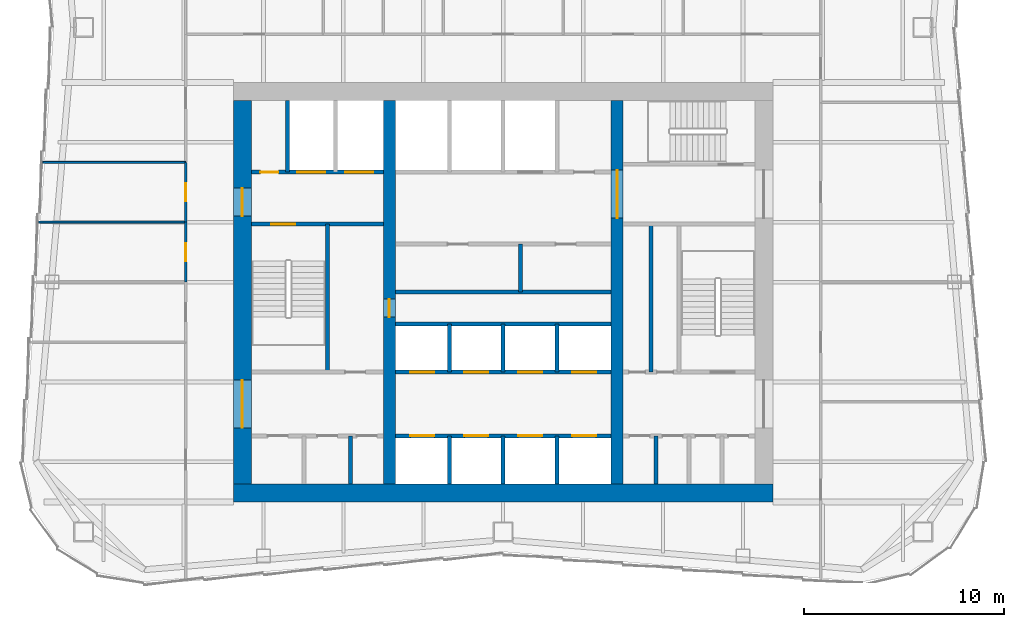
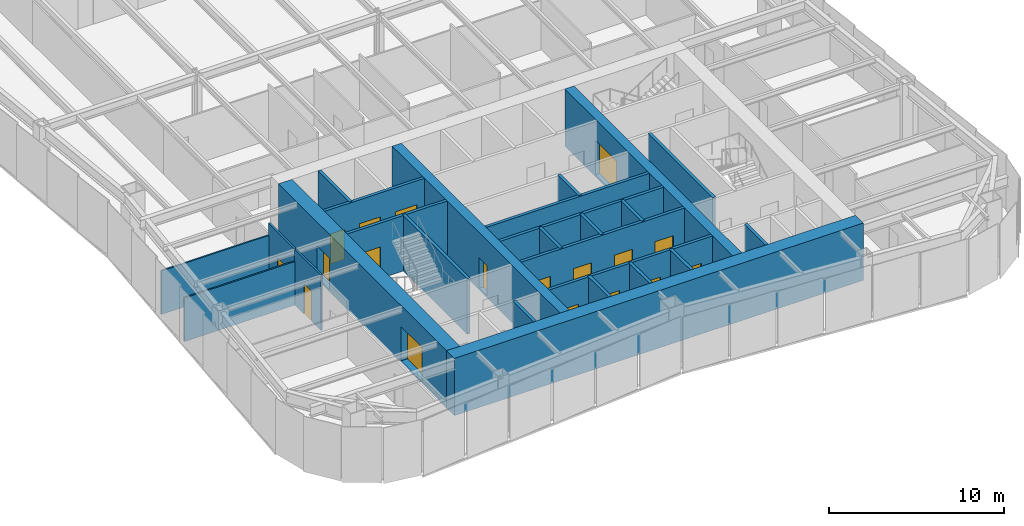
# One storey, part 5 of 10: 26 walls, 18 doors, 18 openings.
"""IFC4 building model written with IfcOpenShell, lengths in metres."""

from ifc_helpers import new_model, si_unit, direction, frame, frame_2d, origin, place, context, subcontext, project, spatial, rectangle, extrude, material, layer, layer_set, type_object, element, fill, save


model = new_model("IFC4")

# Units and contexts
model_context = context("Model", 3, precision=1e-05, world=origin(), true_north=direction((0.0, 1.0)))
body_context = subcontext(model_context, "Body", "Model", "MODEL_VIEW")
ifc_project = project(units=[si_unit("LENGTHUNIT", "METRE"), si_unit("AREAUNIT", "SQUARE_METRE"), si_unit("VOLUMEUNIT", "CUBIC_METRE"), si_unit("PLANEANGLEUNIT", "RADIAN"), si_unit("MASSUNIT", "GRAM", prefix="KILO")], contexts=[model_context])

# Site, building, storey
site_placement = place(None, origin())
site = spatial("IfcSite", under=ifc_project, at=site_placement, CompositionType="ELEMENT")
building_placement = place(site_placement, origin())
building = spatial("IfcBuilding", under=site, at=building_placement, Name="Verdant Reach Tower", CompositionType="ELEMENT")
storey_placement = place(building_placement, frame((0.0, 0.0, 198.0)))
storey = spatial("IfcBuildingStorey", under=building, at=storey_placement, Name="L45", CompositionType="ELEMENT", Elevation=198.0)

# Walls
ifc_material_1 = material(Name="Gypsum board on steel studs", Category="steel")
ifc_layer_1 = layer(ifc_material_1, 0.199951171875)
ifc_layer_set_1 = layer_set([ifc_layer_1], Name="CO-WALL-ROOM")
wall_type_1 = type_object("IfcWallType", Name="CO-WALL-ROOM", PredefinedType="PARTITIONING", material=ifc_layer_set_1)
wall_1_placement = place(storey_placement, frame((-5.39990234375, 28.0, 0.0), z_axis=(0.0, 0.0, 1.0), x_axis=(1.0, 0.0, 0.0)))
element("IfcWall", 1, at=wall_1_placement, inside=storey, type_object=wall_type_1, Name="Core partition, L45", PredefinedType="PARTITIONING", context=body_context, shape_type="SweptSolid", body=[
    extrude(rectangle(XDim=10.7998046875, YDim=0.199951171875, at=frame_2d((5.39990234375, 0.0))), origin(), (0.0, 0.0, 1.0), 3.8701171875),
])
wall_2_placement = place(storey_placement, frame((-7.64990234375, 18.39990234375, 0.0), z_axis=(0.0, 0.0, 1.0), x_axis=(0.0, 1.0, 0.0)))
element("IfcWall", 2, at=wall_2_placement, inside=storey, type_object=wall_type_1, Name="Core partition, L45", PredefinedType="PARTITIONING", context=body_context, shape_type="SweptSolid", body=[
    extrude(rectangle(XDim=2.400146484375, YDim=0.199951171875, at=frame_2d((1.2001953125, 0.0))), origin(), (0.0, 0.0, 1.0), 3.8701171875),
])
wall_3_placement = place(storey_placement, frame((0.864013671875, 28.0, 0.0), z_axis=(0.0, 0.0, 1.0), x_axis=(0.0, 1.0, 0.0)))
element("IfcWall", 3, at=wall_3_placement, inside=storey, type_object=wall_type_1, Name="Core partition, L45", PredefinedType="PARTITIONING", context=body_context, shape_type="SweptSolid", body=[
    extrude(rectangle(XDim=2.39990234375, YDim=0.199951171875, at=frame_2d((1.199951171875, 0.0))), origin(), (0.0, 0.0, 1.0), 3.8701171875),
])
wall_4_placement = place(storey_placement, frame((7.39990234375, 24.0, 0.0), z_axis=(0.0, 0.0, 1.0), x_axis=(0.0, 1.0, 0.0)))
element("IfcWall", 4, at=wall_4_placement, inside=storey, type_object=wall_type_1, Name="Core partition, L45", PredefinedType="PARTITIONING", context=body_context, shape_type="SweptSolid", body=[
    extrude(rectangle(XDim=7.39990234375, YDim=0.199951171875, at=frame_2d((3.699951171875, 0.0))), origin(), (0.0, 0.0, 1.0), 3.8701171875),
])
wall_5_placement = place(storey_placement, frame((7.64990234375, 18.39990234375, 0.0), z_axis=(0.0, 0.0, 1.0), x_axis=(0.0, 1.0, 0.0)))
element("IfcWall", 5, at=wall_5_placement, inside=storey, type_object=wall_type_1, Name="Core partition, L45", PredefinedType="PARTITIONING", context=body_context, shape_type="SweptSolid", body=[
    extrude(rectangle(XDim=2.400146484375, YDim=0.199951171875, at=frame_2d((1.2001953125, 0.0))), origin(), (0.0, 0.0, 1.0), 3.8701171875),
])

# Wall, openings, doors
ifc_material_2 = material(Name="Concrete C40/50", Category="concrete")
ifc_layer_2 = layer(ifc_material_2, 0.199951171875)
ifc_layer_set_2 = layer_set([ifc_layer_2], Name="CO-WALL-SHAFT")
wall_type_2 = type_object("IfcWallType", Name="CO-WALL-SHAFT", PredefinedType="PARTITIONING", material=ifc_layer_set_2)
wall_6_placement = place(storey_placement, frame((-5.39990234375, 20.800048828125, 0.0), z_axis=(0.0, 0.0, 1.0), x_axis=(1.0, 0.0, 0.0)))
wall_6 = element("IfcWall", 6, at=wall_6_placement, inside=storey, type_object=wall_type_2, Name="Lift shaft wall, L45", PredefinedType="PARTITIONING", context=body_context, shape_type="SweptSolid", body=[
    extrude(rectangle(XDim=10.7998046875, YDim=0.199951171875, at=frame_2d((5.39990234375, 0.0))), origin(), (0.0, 0.0, 1.0), 3.8701171875),
])
opening_1_placement = place(wall_6_placement, frame((0.75, 0.0, 0.0)))
opening_1 = element("IfcOpeningElement", 7, at=opening_1_placement, cuts=wall_6, Name="Opening LD-B1", PredefinedType="OPENING", context=body_context, shape_type="SweptSolid", body=[
    extrude(rectangle(XDim=1.199951171875, YDim=2.199951171875, at=frame_2d((0.60009765625, 1.10009765625))), frame((0.0, 0.10986328125, 0.0), z_axis=(0.0, -1.0, 0.0), x_axis=(1.0, 0.0, 0.0)), (0.0, 0.0, 1.0), 0.219970703125),
])
opening_2_placement = place(wall_6_placement, frame((3.449951171875, 0.0, 0.0)))
opening_2 = element("IfcOpeningElement", 8, at=opening_2_placement, cuts=wall_6, Name="Opening LD-B2", PredefinedType="OPENING", context=body_context, shape_type="SweptSolid", body=[
    extrude(rectangle(XDim=1.199951171875, YDim=2.199951171875, at=frame_2d((0.60009765625, 1.10009765625))), frame((0.0, 0.10986328125, 0.0), z_axis=(0.0, -1.0, 0.0), x_axis=(1.0, 0.0, 0.0)), (0.0, 0.0, 1.0), 0.219970703125),
])
opening_3_placement = place(wall_6_placement, frame((6.14990234375, 0.0, 0.0)))
opening_3 = element("IfcOpeningElement", 9, at=opening_3_placement, cuts=wall_6, Name="Opening LD-B3", PredefinedType="OPENING", context=body_context, shape_type="SweptSolid", body=[
    extrude(rectangle(XDim=1.199951171875, YDim=2.199951171875, at=frame_2d((0.60009765625, 1.10009765625))), frame((0.0, 0.10986328125, 0.0), z_axis=(0.0, -1.0, 0.0), x_axis=(1.0, 0.0, 0.0)), (0.0, 0.0, 1.0), 0.219970703125),
])
opening_4_placement = place(wall_6_placement, frame((8.85009765625, 0.0, 0.0)))
opening_4 = element("IfcOpeningElement", 10, at=opening_4_placement, cuts=wall_6, Name="Opening LD-B4", PredefinedType="OPENING", context=body_context, shape_type="SweptSolid", body=[
    extrude(rectangle(XDim=1.199951171875, YDim=2.199951171875, at=frame_2d((0.60009765625, 1.10009765625))), frame((0.0, 0.10986328125, 0.0), z_axis=(0.0, -1.0, 0.0), x_axis=(1.0, 0.0, 0.0)), (0.0, 0.0, 1.0), 0.219970703125),
])
ifc_material_3 = material(Name="Stainless steel", Category="steel")
door_type_1 = type_object("IfcDoorType", Name="CO-DOOR-LANDING", OperationType="SLIDING_TO_LEFT", PredefinedType="DOOR", material=ifc_material_3)
door_1_placement = place(opening_1_placement, origin())
door_1 = element("IfcDoor", 11, at=door_1_placement, inside=storey, type_object=door_type_1, Name="Landing door B1, L45", OperationType="SLIDING_TO_LEFT", OverallHeight=2.199951171875, OverallWidth=1.199951171875, PredefinedType="DOOR", context=body_context, shape_type="SweptSolid", body=[
    extrude(rectangle(XDim=1.199951171875, YDim=2.199951171875, at=frame_2d((0.60009765625, 1.10009765625))), frame((0.0, 0.02490234375, 0.0), z_axis=(0.0, -1.0, 0.0), x_axis=(1.0, 0.0, 0.0)), (0.0, 0.0, 1.0), 0.050048828125),
])
fill(opening_1, door_1)
door_2_placement = place(opening_2_placement, origin())
door_2 = element("IfcDoor", 12, at=door_2_placement, inside=storey, type_object=door_type_1, Name="Landing door B2, L45", OperationType="SLIDING_TO_LEFT", OverallHeight=2.199951171875, OverallWidth=1.199951171875, PredefinedType="DOOR", context=body_context, shape_type="SweptSolid", body=[
    extrude(rectangle(XDim=1.199951171875, YDim=2.199951171875, at=frame_2d((0.60009765625, 1.10009765625))), frame((0.0, 0.02490234375, 0.0), z_axis=(0.0, -1.0, 0.0), x_axis=(1.0, 0.0, 0.0)), (0.0, 0.0, 1.0), 0.050048828125),
])
fill(opening_2, door_2)
door_3_placement = place(opening_3_placement, origin())
door_3 = element("IfcDoor", 13, at=door_3_placement, inside=storey, type_object=door_type_1, Name="Landing door B3, L45", OperationType="SLIDING_TO_LEFT", OverallHeight=2.199951171875, OverallWidth=1.199951171875, PredefinedType="DOOR", context=body_context, shape_type="SweptSolid", body=[
    extrude(rectangle(XDim=1.199951171875, YDim=2.199951171875, at=frame_2d((0.60009765625, 1.10009765625))), frame((0.0, 0.02490234375, 0.0), z_axis=(0.0, -1.0, 0.0), x_axis=(1.0, 0.0, 0.0)), (0.0, 0.0, 1.0), 0.050048828125),
])
fill(opening_3, door_3)
door_4_placement = place(opening_4_placement, origin())
door_4 = element("IfcDoor", 14, at=door_4_placement, inside=storey, type_object=door_type_1, Name="Landing door B4, L45", OperationType="SLIDING_TO_LEFT", OverallHeight=2.199951171875, OverallWidth=1.199951171875, PredefinedType="DOOR", context=body_context, shape_type="SweptSolid", body=[
    extrude(rectangle(XDim=1.199951171875, YDim=2.199951171875, at=frame_2d((0.60009765625, 1.10009765625))), frame((0.0, 0.02490234375, 0.0), z_axis=(0.0, -1.0, 0.0), x_axis=(1.0, 0.0, 0.0)), (0.0, 0.0, 1.0), 0.050048828125),
])
fill(opening_4, door_4)

wall_7_placement = place(storey_placement, frame((-5.39990234375, 24.0, 0.0), z_axis=(0.0, 0.0, 1.0), x_axis=(1.0, 0.0, 0.0)))
wall_7 = element("IfcWall", 15, at=wall_7_placement, inside=storey, type_object=wall_type_2, Name="Lift shaft wall, L45", PredefinedType="PARTITIONING", context=body_context, shape_type="SweptSolid", body=[
    extrude(rectangle(XDim=10.7998046875, YDim=0.199951171875, at=frame_2d((5.39990234375, 0.0))), origin(), (0.0, 0.0, 1.0), 3.8701171875),
])
opening_5_placement = place(wall_7_placement, frame((0.75, 0.0, 0.0)))
opening_5 = element("IfcOpeningElement", 16, at=opening_5_placement, cuts=wall_7, Name="Opening LD-A5", PredefinedType="OPENING", context=body_context, shape_type="SweptSolid", body=[
    extrude(rectangle(XDim=1.199951171875, YDim=2.199951171875, at=frame_2d((0.60009765625, 1.10009765625))), frame((0.0, 0.10986328125, 0.0), z_axis=(0.0, -1.0, 0.0), x_axis=(1.0, 0.0, 0.0)), (0.0, 0.0, 1.0), 0.219970703125),
])
opening_6_placement = place(wall_7_placement, frame((3.449951171875, 0.0, 0.0)))
opening_6 = element("IfcOpeningElement", 17, at=opening_6_placement, cuts=wall_7, Name="Opening LD-A6", PredefinedType="OPENING", context=body_context, shape_type="SweptSolid", body=[
    extrude(rectangle(XDim=1.199951171875, YDim=2.199951171875, at=frame_2d((0.60009765625, 1.10009765625))), frame((0.0, 0.10986328125, 0.0), z_axis=(0.0, -1.0, 0.0), x_axis=(1.0, 0.0, 0.0)), (0.0, 0.0, 1.0), 0.219970703125),
])
opening_7_placement = place(wall_7_placement, frame((6.14990234375, 0.0, 0.0)))
opening_7 = element("IfcOpeningElement", 18, at=opening_7_placement, cuts=wall_7, Name="Opening LD-A7", PredefinedType="OPENING", context=body_context, shape_type="SweptSolid", body=[
    extrude(rectangle(XDim=1.199951171875, YDim=2.199951171875, at=frame_2d((0.60009765625, 1.10009765625))), frame((0.0, 0.10986328125, 0.0), z_axis=(0.0, -1.0, 0.0), x_axis=(1.0, 0.0, 0.0)), (0.0, 0.0, 1.0), 0.219970703125),
])
opening_8_placement = place(wall_7_placement, frame((8.85009765625, 0.0, 0.0)))
opening_8 = element("IfcOpeningElement", 19, at=opening_8_placement, cuts=wall_7, Name="Opening LD-A8", PredefinedType="OPENING", context=body_context, shape_type="SweptSolid", body=[
    extrude(rectangle(XDim=1.199951171875, YDim=2.199951171875, at=frame_2d((0.60009765625, 1.10009765625))), frame((0.0, 0.10986328125, 0.0), z_axis=(0.0, -1.0, 0.0), x_axis=(1.0, 0.0, 0.0)), (0.0, 0.0, 1.0), 0.219970703125),
])
door_5_placement = place(opening_5_placement, origin())
door_5 = element("IfcDoor", 20, at=door_5_placement, inside=storey, type_object=door_type_1, Name="Landing door A5, L45", OperationType="SLIDING_TO_LEFT", OverallHeight=2.199951171875, OverallWidth=1.199951171875, PredefinedType="DOOR", context=body_context, shape_type="SweptSolid", body=[
    extrude(rectangle(XDim=1.199951171875, YDim=2.199951171875, at=frame_2d((0.60009765625, 1.10009765625))), frame((0.0, 0.02490234375, 0.0), z_axis=(0.0, -1.0, 0.0), x_axis=(1.0, 0.0, 0.0)), (0.0, 0.0, 1.0), 0.050048828125),
])
fill(opening_5, door_5)
door_6_placement = place(opening_6_placement, origin())
door_6 = element("IfcDoor", 21, at=door_6_placement, inside=storey, type_object=door_type_1, Name="Landing door A6, L45", OperationType="SLIDING_TO_LEFT", OverallHeight=2.199951171875, OverallWidth=1.199951171875, PredefinedType="DOOR", context=body_context, shape_type="SweptSolid", body=[
    extrude(rectangle(XDim=1.199951171875, YDim=2.199951171875, at=frame_2d((0.60009765625, 1.10009765625))), frame((0.0, 0.02490234375, 0.0), z_axis=(0.0, -1.0, 0.0), x_axis=(1.0, 0.0, 0.0)), (0.0, 0.0, 1.0), 0.050048828125),
])
fill(opening_6, door_6)
door_7_placement = place(opening_7_placement, origin())
door_7 = element("IfcDoor", 22, at=door_7_placement, inside=storey, type_object=door_type_1, Name="Landing door A7, L45", OperationType="SLIDING_TO_LEFT", OverallHeight=2.199951171875, OverallWidth=1.199951171875, PredefinedType="DOOR", context=body_context, shape_type="SweptSolid", body=[
    extrude(rectangle(XDim=1.199951171875, YDim=2.199951171875, at=frame_2d((0.60009765625, 1.10009765625))), frame((0.0, 0.02490234375, 0.0), z_axis=(0.0, -1.0, 0.0), x_axis=(1.0, 0.0, 0.0)), (0.0, 0.0, 1.0), 0.050048828125),
])
fill(opening_7, door_7)
door_8_placement = place(opening_8_placement, origin())
door_8 = element("IfcDoor", 23, at=door_8_placement, inside=storey, type_object=door_type_1, Name="Landing door A8, L45", OperationType="SLIDING_TO_LEFT", OverallHeight=2.199951171875, OverallWidth=1.199951171875, PredefinedType="DOOR", context=body_context, shape_type="SweptSolid", body=[
    extrude(rectangle(XDim=1.199951171875, YDim=2.199951171875, at=frame_2d((0.60009765625, 1.10009765625))), frame((0.0, 0.02490234375, 0.0), z_axis=(0.0, -1.0, 0.0), x_axis=(1.0, 0.0, 0.0)), (0.0, 0.0, 1.0), 0.050048828125),
])
fill(opening_8, door_8)

# Wall
wall_8_placement = place(storey_placement, frame((-5.39990234375, 26.39990234375, 0.0), z_axis=(0.0, 0.0, 1.0), x_axis=(1.0, 0.0, 0.0)))
element("IfcWall", 24, at=wall_8_placement, inside=storey, type_object=wall_type_2, Name="Lift shaft wall, L45", PredefinedType="PARTITIONING", context=body_context, shape_type="SweptSolid", body=[
    extrude(rectangle(XDim=10.7998046875, YDim=0.199951171875, at=frame_2d((5.39990234375, 0.0))), origin(), (0.0, 0.0, 1.0), 3.8701171875),
])

# Wall, openings, doors
wall_9_placement = place(storey_placement, frame((-12.60009765625, 34.0, 0.0), z_axis=(0.0, 0.0, 1.0), x_axis=(1.0, 0.0, 0.0)))
wall_9 = element("IfcWall", 25, at=wall_9_placement, inside=storey, type_object=wall_type_2, Name="Lift shaft wall, L45", PredefinedType="PARTITIONING", context=body_context, shape_type="SweptSolid", body=[
    extrude(rectangle(XDim=6.60009765625, YDim=0.199951171875, at=frame_2d((3.300048828125, 0.0))), origin(), (0.0, 0.0, 1.0), 3.8701171875),
])
opening_9_placement = place(wall_9_placement, frame((4.699951171875, 0.0, 0.0)))
opening_9 = element("IfcOpeningElement", 26, at=opening_9_placement, cuts=wall_9, Name="Opening LD-F1", PredefinedType="OPENING", context=body_context, shape_type="SweptSolid", body=[
    extrude(rectangle(XDim=1.39990234375, YDim=2.199951171875, at=frame_2d((0.699951171875, 1.10009765625))), frame((0.0, 0.10986328125, 0.0), z_axis=(0.0, -1.0, 0.0), x_axis=(1.0, 0.0, 0.0)), (0.0, 0.0, 1.0), 0.219970703125),
])
opening_10_placement = place(wall_9_placement, frame((2.300048828125, 0.0, 0.0)))
opening_10 = element("IfcOpeningElement", 27, at=opening_10_placement, cuts=wall_9, Name="Opening LD-F2", PredefinedType="OPENING", context=body_context, shape_type="SweptSolid", body=[
    extrude(rectangle(XDim=1.39990234375, YDim=2.199951171875, at=frame_2d((0.699951171875, 1.10009765625))), frame((0.0, 0.10986328125, 0.0), z_axis=(0.0, -1.0, 0.0), x_axis=(1.0, 0.0, 0.0)), (0.0, 0.0, 1.0), 0.219970703125),
])
opening_11_placement = place(wall_9_placement, frame((0.449951171875, 0.0, 0.0)))
opening_11 = element("IfcOpeningElement", 28, at=opening_11_placement, cuts=wall_9, Name="Opening RD", PredefinedType="OPENING", context=body_context, shape_type="SweptSolid", body=[
    extrude(rectangle(XDim=0.89990234375, YDim=2.10009765625, at=frame_2d((0.449951171875, 1.050048828125))), frame((0.0, 0.10986328125, 0.0), z_axis=(0.0, -1.0, 0.0), x_axis=(1.0, 0.0, 0.0)), (0.0, 0.0, 1.0), 0.219970703125),
])
door_type_2 = type_object("IfcDoorType", Name="CO-DOOR-LANDING-FF", OperationType="SLIDING_TO_LEFT", PredefinedType="DOOR", material=ifc_material_3)
door_9_placement = place(opening_9_placement, origin())
door_9 = element("IfcDoor", 29, at=door_9_placement, inside=storey, type_object=door_type_2, Name="Landing door F1, L45", OperationType="SLIDING_TO_LEFT", OverallHeight=2.199951171875, OverallWidth=1.39990234375, PredefinedType="DOOR", context=body_context, shape_type="SweptSolid", body=[
    extrude(rectangle(XDim=1.39990234375, YDim=2.199951171875, at=frame_2d((0.699951171875, 1.10009765625))), frame((0.0, 0.02490234375, 0.0), z_axis=(0.0, -1.0, 0.0), x_axis=(1.0, 0.0, 0.0)), (0.0, 0.0, 1.0), 0.050048828125),
])
fill(opening_9, door_9)
door_10_placement = place(opening_10_placement, origin())
door_10 = element("IfcDoor", 30, at=door_10_placement, inside=storey, type_object=door_type_2, Name="Landing door F2, L45", OperationType="SLIDING_TO_LEFT", OverallHeight=2.199951171875, OverallWidth=1.39990234375, PredefinedType="DOOR", context=body_context, shape_type="SweptSolid", body=[
    extrude(rectangle(XDim=1.39990234375, YDim=2.199951171875, at=frame_2d((0.699951171875, 1.10009765625))), frame((0.0, 0.02490234375, 0.0), z_axis=(0.0, -1.0, 0.0), x_axis=(1.0, 0.0, 0.0)), (0.0, 0.0, 1.0), 0.050048828125),
])
fill(opening_10, door_10)
ifc_material_4 = material(Name="Steel", Category="steel")
door_type_3 = type_object("IfcDoorType", Name="CO-DOOR-RISER", OperationType="NOTDEFINED", PredefinedType="DOOR", material=ifc_material_4)
door_11_placement = place(opening_11_placement, origin())
door_11 = element("IfcDoor", 31, at=door_11_placement, inside=storey, type_object=door_type_3, Name="Core room door, L45", OperationType="SINGLE_SWING_RIGHT", OverallHeight=2.10009765625, OverallWidth=0.89990234375, PredefinedType="DOOR", context=body_context, shape_type="SweptSolid", body=[
    extrude(rectangle(XDim=0.89990234375, YDim=2.10009765625, at=frame_2d((0.449951171875, 1.050048828125))), frame((0.0, 0.02490234375, 0.0), z_axis=(0.0, -1.0, 0.0), x_axis=(1.0, 0.0, 0.0)), (0.0, 0.0, 1.0), 0.050048828125),
])
fill(opening_11, door_11)

# Walls
wall_10_placement = place(storey_placement, frame((-10.800048828125, 34.0, 0.0), z_axis=(0.0, 0.0, 1.0), x_axis=(0.0, 1.0, 0.0)))
element("IfcWall", 32, at=wall_10_placement, inside=storey, type_object=wall_type_2, Name="Lift shaft wall, L45", PredefinedType="PARTITIONING", context=body_context, shape_type="SweptSolid", body=[
    extrude(rectangle(XDim=3.60009765625, YDim=0.199951171875, at=frame_2d((1.800048828125, 0.0))), origin(), (0.0, 0.0, 1.0), 3.8701171875),
])
wall_11_placement = place(storey_placement, frame((-2.699951171875, 18.39990234375, 0.0), z_axis=(0.0, 0.0, 1.0), x_axis=(0.0, 1.0, 0.0)))
element("IfcWall", 33, at=wall_11_placement, inside=storey, type_object=wall_type_2, Name="Lift shaft wall, L45", PredefinedType="PARTITIONING", context=body_context, shape_type="SweptSolid", body=[
    extrude(rectangle(XDim=2.400146484375, YDim=0.199951171875, at=frame_2d((1.2001953125, 0.0))), origin(), (0.0, 0.0, 1.0), 3.8701171875),
])
wall_12_placement = place(storey_placement, frame((-2.699951171875, 24.0, 0.0), z_axis=(0.0, 0.0, 1.0), x_axis=(0.0, 1.0, 0.0)))
element("IfcWall", 34, at=wall_12_placement, inside=storey, type_object=wall_type_2, Name="Lift shaft wall, L45", PredefinedType="PARTITIONING", context=body_context, shape_type="SweptSolid", body=[
    extrude(rectangle(XDim=2.39990234375, YDim=0.199951171875, at=frame_2d((1.199951171875, 0.0))), origin(), (0.0, 0.0, 1.0), 3.8701171875),
])
wall_13_placement = place(storey_placement, frame((0.0, 18.39990234375, 0.0), z_axis=(0.0, 0.0, 1.0), x_axis=(0.0, 1.0, 0.0)))
element("IfcWall", 35, at=wall_13_placement, inside=storey, type_object=wall_type_2, Name="Lift shaft wall, L45", PredefinedType="PARTITIONING", context=body_context, shape_type="SweptSolid", body=[
    extrude(rectangle(XDim=2.400146484375, YDim=0.199951171875, at=frame_2d((1.2001953125, 0.0))), origin(), (0.0, 0.0, 1.0), 3.8701171875),
])
wall_14_placement = place(storey_placement, frame((0.0, 24.0, 0.0), z_axis=(0.0, 0.0, 1.0), x_axis=(0.0, 1.0, 0.0)))
element("IfcWall", 36, at=wall_14_placement, inside=storey, type_object=wall_type_2, Name="Lift shaft wall, L45", PredefinedType="PARTITIONING", context=body_context, shape_type="SweptSolid", body=[
    extrude(rectangle(XDim=2.39990234375, YDim=0.199951171875, at=frame_2d((1.199951171875, 0.0))), origin(), (0.0, 0.0, 1.0), 3.8701171875),
])
wall_15_placement = place(storey_placement, frame((2.699951171875, 18.39990234375, 0.0), z_axis=(0.0, 0.0, 1.0), x_axis=(0.0, 1.0, 0.0)))
element("IfcWall", 37, at=wall_15_placement, inside=storey, type_object=wall_type_2, Name="Lift shaft wall, L45", PredefinedType="PARTITIONING", context=body_context, shape_type="SweptSolid", body=[
    extrude(rectangle(XDim=2.400146484375, YDim=0.199951171875, at=frame_2d((1.2001953125, 0.0))), origin(), (0.0, 0.0, 1.0), 3.8701171875),
])
wall_16_placement = place(storey_placement, frame((2.699951171875, 24.0, 0.0), z_axis=(0.0, 0.0, 1.0), x_axis=(0.0, 1.0, 0.0)))
element("IfcWall", 38, at=wall_16_placement, inside=storey, type_object=wall_type_2, Name="Lift shaft wall, L45", PredefinedType="PARTITIONING", context=body_context, shape_type="SweptSolid", body=[
    extrude(rectangle(XDim=2.39990234375, YDim=0.199951171875, at=frame_2d((1.199951171875, 0.0))), origin(), (0.0, 0.0, 1.0), 3.8701171875),
])

# Wall, opening, door
ifc_layer_3 = layer(ifc_material_2, 0.199951171875)
ifc_layer_set_3 = layer_set([ifc_layer_3], Name="CO-WALL-STAIR")
wall_type_3 = type_object("IfcWallType", Name="CO-WALL-STAIR", PredefinedType="PARTITIONING", material=ifc_layer_set_3)
wall_17_placement = place(storey_placement, frame((-12.60009765625, 31.39990234375, 0.0), z_axis=(0.0, 0.0, 1.0), x_axis=(1.0, 0.0, 0.0)))
wall_17 = element("IfcWall", 39, at=wall_17_placement, inside=storey, type_object=wall_type_3, Name="Stair enclosure wall, L45", PredefinedType="PARTITIONING", context=body_context, shape_type="SweptSolid", body=[
    extrude(rectangle(XDim=6.60009765625, YDim=0.199951171875, at=frame_2d((3.300048828125, 0.0))), origin(), (0.0, 0.0, 1.0), 3.8701171875),
])
opening_12_placement = place(wall_17_placement, frame((1.0, 0.0, 0.0)))
opening_12 = element("IfcOpeningElement", 40, at=opening_12_placement, cuts=wall_17, Name="Opening SD", PredefinedType="OPENING", context=body_context, shape_type="SweptSolid", body=[
    extrude(rectangle(XDim=1.199951171875, YDim=2.199951171875, at=frame_2d((0.60009765625, 1.10009765625))), frame((0.0, 0.10986328125, 0.0), z_axis=(0.0, -1.0, 0.0), x_axis=(1.0, 0.0, 0.0)), (0.0, 0.0, 1.0), 0.219970703125),
])
door_type_4 = type_object("IfcDoorType", Name="CO-DOOR-STAIR", OperationType="NOTDEFINED", PredefinedType="DOOR", material=ifc_material_4)
door_12_placement = place(opening_12_placement, origin())
door_12 = element("IfcDoor", 41, at=door_12_placement, inside=storey, type_object=door_type_4, Name="Stair door, L45", OperationType="SINGLE_SWING_RIGHT", OverallHeight=2.199951171875, OverallWidth=1.199951171875, PredefinedType="DOOR", context=body_context, shape_type="SweptSolid", body=[
    extrude(rectangle(XDim=1.199951171875, YDim=2.199951171875, at=frame_2d((0.60009765625, 1.10009765625))), frame((0.0, 0.02490234375, 0.0), z_axis=(0.0, -1.0, 0.0), x_axis=(1.0, 0.0, 0.0)), (0.0, 0.0, 1.0), 0.050048828125),
])
fill(opening_12, door_12)

# Walls
wall_18_placement = place(storey_placement, frame((-8.800048828125, 24.0, 0.0), z_axis=(0.0, 0.0, 1.0), x_axis=(0.0, 1.0, 0.0)))
element("IfcWall", 42, at=wall_18_placement, inside=storey, type_object=wall_type_3, Name="Stair enclosure wall, L45", PredefinedType="PARTITIONING", context=body_context, shape_type="SweptSolid", body=[
    extrude(rectangle(XDim=7.39990234375, YDim=0.199951171875, at=frame_2d((3.699951171875, 0.0))), origin(), (0.0, 0.0, 1.0), 3.8701171875),
])
ifc_layer_4 = layer(ifc_material_1, 0.10009765625)
ifc_layer_set_4 = layer_set([ifc_layer_4], Name="FL-W1 Partition 100")
wall_type_4 = type_object("IfcWallType", Name="FL-W1 Partition 100", PredefinedType="PARTITIONING", material=ifc_layer_set_4)
wall_19_placement = place(storey_placement, frame((-15.89990234375, 31.5, 0.0), z_axis=(0.0, 0.0, 1.0), x_axis=(-1.0, 0.0, 0.0)))
element("IfcWall", 43, at=wall_19_placement, inside=storey, type_object=wall_type_4, Name="Partition 45.42", PredefinedType="PARTITIONING", context=body_context, shape_type="SweptSolid", body=[
    extrude(rectangle(XDim=7.3525390625, YDim=0.10009765625, at=frame_2d((3.67626953125, 0.0))), origin(), (0.0, 0.0, 1.0), 3.0400390625),
])
wall_20_placement = place(storey_placement, frame((-15.89990234375, 34.5, 0.0), z_axis=(0.0, 0.0, 1.0), x_axis=(-1.0, 0.0, 0.0)))
element("IfcWall", 44, at=wall_20_placement, inside=storey, type_object=wall_type_4, Name="Partition 45.43", PredefinedType="PARTITIONING", context=body_context, shape_type="SweptSolid", body=[
    extrude(rectangle(XDim=7.1455078125, YDim=0.10009765625, at=frame_2d((3.57275390625, 0.0))), origin(), (0.0, 0.0, 1.0), 3.0400390625),
])

# Wall, opening, door
ifc_material_5 = material(Name="Gypsum board on steel studs, fire rated", Category="steel")
ifc_layer_5 = layer(ifc_material_5, 0.125)
ifc_layer_set_5 = layer_set([ifc_layer_5], Name="FL-W2 Corridor wall 125")
wall_type_5 = type_object("IfcWallType", Name="FL-W2 Corridor wall 125", PredefinedType="PARTITIONING", material=ifc_layer_set_5)
wall_21_placement = place(storey_placement, frame((-15.89990234375, 28.5, 0.0), z_axis=(0.0, 0.0, 1.0), x_axis=(0.0, 1.0, 0.0)))
wall_21 = element("IfcWall", 45, at=wall_21_placement, inside=storey, type_object=wall_type_5, Name="Partition 45.09", PredefinedType="PARTITIONING", context=body_context, shape_type="SweptSolid", body=[
    extrude(rectangle(XDim=3.0, YDim=0.125, at=frame_2d((1.5, 0.0))), origin(), (0.0, 0.0, 1.0), 3.8701171875),
])
opening_13_placement = place(wall_21_placement, frame((1.050048828125, 0.0, 0.0)))
opening_13 = element("IfcOpeningElement", 46, at=opening_13_placement, cuts=wall_21, Name="Opening D1", PredefinedType="OPENING", context=body_context, shape_type="SweptSolid", body=[
    extrude(rectangle(XDim=0.89990234375, YDim=2.10009765625, at=frame_2d((0.449951171875, 1.050048828125))), frame((0.0, 0.072509765625, 0.0), z_axis=(0.0, -1.0, 0.0), x_axis=(1.0, 0.0, 0.0)), (0.0, 0.0, 1.0), 0.14501953125),
])
ifc_material_6 = material(Name="Painted timber door leaf", Category="wood")
door_type_5 = type_object("IfcDoorType", Name="FL-D1 Door 900x2100", OperationType="NOTDEFINED", PredefinedType="DOOR", material=ifc_material_6)
door_13_placement = place(opening_13_placement, origin())
door_13 = element("IfcDoor", 47, at=door_13_placement, inside=storey, type_object=door_type_5, Name="Door 45-007", OperationType="SINGLE_SWING_LEFT", OverallHeight=2.10009765625, OverallWidth=0.89990234375, PredefinedType="DOOR", context=body_context, shape_type="SweptSolid", body=[
    extrude(rectangle(XDim=0.89990234375, YDim=2.10009765625, at=frame_2d((0.449951171875, 1.050048828125))), frame((0.0, 0.02490234375, 0.0), z_axis=(0.0, -1.0, 0.0), x_axis=(1.0, 0.0, 0.0)), (0.0, 0.0, 1.0), 0.050048828125),
])
fill(opening_13, door_13)

wall_22_placement = place(storey_placement, frame((-15.89990234375, 31.5, 0.0), z_axis=(0.0, 0.0, 1.0), x_axis=(0.0, 1.0, 0.0)))
wall_22 = element("IfcWall", 48, at=wall_22_placement, inside=storey, type_object=wall_type_5, Name="Partition 45.10", PredefinedType="PARTITIONING", context=body_context, shape_type="SweptSolid", body=[
    extrude(rectangle(XDim=3.0, YDim=0.125, at=frame_2d((1.5, 0.0))), origin(), (0.0, 0.0, 1.0), 3.8701171875),
])
opening_14_placement = place(wall_22_placement, frame((1.050048828125, 0.0, 0.0)))
opening_14 = element("IfcOpeningElement", 49, at=opening_14_placement, cuts=wall_22, Name="Opening D1", PredefinedType="OPENING", context=body_context, shape_type="SweptSolid", body=[
    extrude(rectangle(XDim=0.89990234375, YDim=2.10009765625, at=frame_2d((0.449951171875, 1.050048828125))), frame((0.0, 0.072509765625, 0.0), z_axis=(0.0, -1.0, 0.0), x_axis=(1.0, 0.0, 0.0)), (0.0, 0.0, 1.0), 0.14501953125),
])
door_14_placement = place(opening_14_placement, origin())
door_14 = element("IfcDoor", 50, at=door_14_placement, inside=storey, type_object=door_type_5, Name="Door 45-008", OperationType="SINGLE_SWING_RIGHT", OverallHeight=2.10009765625, OverallWidth=0.89990234375, PredefinedType="DOOR", context=body_context, shape_type="SweptSolid", body=[
    extrude(rectangle(XDim=0.89990234375, YDim=2.10009765625, at=frame_2d((0.449951171875, 1.050048828125))), frame((0.0, 0.02490234375, 0.0), z_axis=(0.0, -1.0, 0.0), x_axis=(1.0, 0.0, 0.0)), (0.0, 0.0, 1.0), 0.050048828125),
])
fill(opening_14, door_14)

ifc_material_7 = material(Name="Concrete C70/85", Category="concrete")
ifc_layer_6 = layer(ifc_material_7, 0.60009765625)
ifc_layer_set_6 = layer_set([ifc_layer_6], Name="ST-CORE-WALL-600")
wall_type_6 = type_object("IfcWallType", Name="ST-CORE-WALL-600", PredefinedType="SHEAR", material=ifc_layer_set_6)
wall_23_placement = place(storey_placement, frame((-5.699951171875, 18.39990234375, -0.1298828125), z_axis=(0.0, 0.0, 1.0), x_axis=(0.0, 1.0, 0.0)))
wall_23 = element("IfcWall", 51, at=wall_23_placement, inside=storey, type_object=wall_type_6, Name="Core wall XW, L45", PredefinedType="SHEAR", context=body_context, shape_type="SweptSolid", body=[
    extrude(rectangle(XDim=19.2001953125, YDim=0.60009765625, at=frame_2d((9.60009765625, 0.0))), origin(), (0.0, 0.0, 1.0), 4.0),
])
opening_15_placement = place(wall_23_placement, frame((8.35009765625, 0.0, 0.1298828125)))
opening_15 = element("IfcOpeningElement", 52, at=opening_15_placement, cuts=wall_23, Name="Opening RD", PredefinedType="OPENING", context=body_context, shape_type="SweptSolid", body=[
    extrude(rectangle(XDim=0.89990234375, YDim=2.10009765625, at=frame_2d((0.449951171875, 1.050048828125))), frame((0.0, 0.31005859375, 0.0), z_axis=(0.0, -1.0, 0.0), x_axis=(1.0, 0.0, 0.0)), (0.0, 0.0, 1.0), 0.6201171875),
])
door_15_placement = place(opening_15_placement, origin())
door_15 = element("IfcDoor", 53, at=door_15_placement, inside=storey, type_object=door_type_3, Name="Riser door, L45", OperationType="SINGLE_SWING_RIGHT", OverallHeight=2.10009765625, OverallWidth=0.89990234375, PredefinedType="DOOR", context=body_context, shape_type="SweptSolid", body=[
    extrude(rectangle(XDim=0.89990234375, YDim=2.10009765625, at=frame_2d((0.449951171875, 1.050048828125))), frame((0.0, 0.02490234375, 0.0), z_axis=(0.0, -1.0, 0.0), x_axis=(1.0, 0.0, 0.0)), (0.0, 0.0, 1.0), 0.050048828125),
])
fill(opening_15, door_15)

wall_24_placement = place(storey_placement, frame((5.699951171875, 18.39990234375, -0.1298828125), z_axis=(0.0, 0.0, 1.0), x_axis=(0.0, 1.0, 0.0)))
wall_24 = element("IfcWall", 54, at=wall_24_placement, inside=storey, type_object=wall_type_6, Name="Core wall XE, L45", PredefinedType="SHEAR", context=body_context, shape_type="SweptSolid", body=[
    extrude(rectangle(XDim=19.2001953125, YDim=0.60009765625, at=frame_2d((9.60009765625, 0.0))), origin(), (0.0, 0.0, 1.0), 4.0),
])
opening_16_placement = place(wall_24_placement, frame((13.300048828125, 0.0, 0.1298828125)))
opening_16 = element("IfcOpeningElement", 55, at=opening_16_placement, cuts=wall_24, Name="Opening LB", PredefinedType="OPENING", context=body_context, shape_type="SweptSolid", body=[
    extrude(rectangle(XDim=2.39990234375, YDim=2.39990234375, at=frame_2d((1.199951171875, 1.199951171875))), frame((0.0, 0.31005859375, 0.0), z_axis=(0.0, -1.0, 0.0), x_axis=(1.0, 0.0, 0.0)), (0.0, 0.0, 1.0), 0.6201171875),
])
ifc_material_8 = material(Name="Glass and steel", Category="steel")
door_type_6 = type_object("IfcDoorType", Name="CO-DOOR-LOBBY", OperationType="DOUBLE_DOOR_SINGLE_SWING", PredefinedType="DOOR", material=ifc_material_8)
door_16_placement = place(opening_16_placement, origin())
door_16 = element("IfcDoor", 56, at=door_16_placement, inside=storey, type_object=door_type_6, Name="Core entrance door, L45", OperationType="DOUBLE_DOOR_SINGLE_SWING", OverallHeight=2.39990234375, OverallWidth=2.39990234375, PredefinedType="DOOR", context=body_context, shape_type="SweptSolid", body=[
    extrude(rectangle(XDim=2.39990234375, YDim=2.39990234375, at=frame_2d((1.199951171875, 1.199951171875))), frame((0.0, 0.02490234375, 0.0), z_axis=(0.0, -1.0, 0.0), x_axis=(1.0, 0.0, 0.0)), (0.0, 0.0, 1.0), 0.050048828125),
])
fill(opening_16, door_16)

# Wall
ifc_layer_7 = layer(ifc_material_7, 0.89990234375)
ifc_layer_set_7 = layer_set([ifc_layer_7], Name="ST-CORE-WALL-900")
wall_type_7 = type_object("IfcWallType", Name="ST-CORE-WALL-900", PredefinedType="SHEAR", material=ifc_layer_set_7)
wall_25_placement = place(storey_placement, frame((-13.5, 17.949951171875, -0.1298828125), z_axis=(0.0, 0.0, 1.0), x_axis=(1.0, 0.0, 0.0)))
element("IfcWall", 57, at=wall_25_placement, inside=storey, type_object=wall_type_7, Name="Core wall S, L45", PredefinedType="SHEAR", context=body_context, shape_type="SweptSolid", body=[
    extrude(rectangle(XDim=27.0, YDim=0.89990234375, at=frame_2d((13.5, 0.0))), origin(), (0.0, 0.0, 1.0), 4.0),
])

# Wall, openings, doors
wall_26_placement = place(storey_placement, frame((-13.050048828125, 18.39990234375, -0.1298828125), z_axis=(0.0, 0.0, 1.0), x_axis=(0.0, 1.0, 0.0)))
wall_26 = element("IfcWall", 58, at=wall_26_placement, inside=storey, type_object=wall_type_7, Name="Core wall W, L45", PredefinedType="SHEAR", context=body_context, shape_type="SweptSolid", body=[
    extrude(rectangle(XDim=19.2001953125, YDim=0.89990234375, at=frame_2d((9.60009765625, 0.0))), origin(), (0.0, 0.0, 1.0), 4.0),
])
opening_17_placement = place(wall_26_placement, frame((2.800048828125, 0.0, 0.1298828125)))
opening_17 = element("IfcOpeningElement", 59, at=opening_17_placement, cuts=wall_26, Name="Opening LB", PredefinedType="OPENING", context=body_context, shape_type="SweptSolid", body=[
    extrude(rectangle(XDim=2.39990234375, YDim=2.39990234375, at=frame_2d((1.199951171875, 1.199951171875))), frame((0.0, 0.4599609375, 0.0), z_axis=(0.0, -1.0, 0.0), x_axis=(1.0, 0.0, 0.0)), (0.0, 0.0, 1.0), 0.919921875),
])
opening_18_placement = place(wall_26_placement, frame((13.39990234375, 0.0, 0.1298828125)))
opening_18 = element("IfcOpeningElement", 60, at=opening_18_placement, cuts=wall_26, Name="Opening FL", PredefinedType="OPENING", context=body_context, shape_type="SweptSolid", body=[
    extrude(rectangle(XDim=1.39990234375, YDim=2.199951171875, at=frame_2d((0.699951171875, 1.10009765625))), frame((0.0, 0.4599609375, 0.0), z_axis=(0.0, -1.0, 0.0), x_axis=(1.0, 0.0, 0.0)), (0.0, 0.0, 1.0), 0.919921875),
])
door_type_7 = type_object("IfcDoorType", Name="CO-DOOR-FFL", OperationType="NOTDEFINED", PredefinedType="DOOR", material=ifc_material_4)
door_17_placement = place(opening_18_placement, origin())
door_17 = element("IfcDoor", 61, at=door_17_placement, inside=storey, type_object=door_type_7, Name="Core entrance door, L45", OperationType="SINGLE_SWING_RIGHT", OverallHeight=2.199951171875, OverallWidth=1.39990234375, PredefinedType="DOOR", context=body_context, shape_type="SweptSolid", body=[
    extrude(rectangle(XDim=1.39990234375, YDim=2.199951171875, at=frame_2d((0.699951171875, 1.10009765625))), frame((0.0, 0.02490234375, 0.0), z_axis=(0.0, -1.0, 0.0), x_axis=(1.0, 0.0, 0.0)), (0.0, 0.0, 1.0), 0.050048828125),
])
fill(opening_18, door_17)
door_18_placement = place(opening_17_placement, origin())
door_18 = element("IfcDoor", 62, at=door_18_placement, inside=storey, type_object=door_type_6, Name="Core entrance door, L45", OperationType="DOUBLE_DOOR_SINGLE_SWING", OverallHeight=2.39990234375, OverallWidth=2.39990234375, PredefinedType="DOOR", context=body_context, shape_type="SweptSolid", body=[
    extrude(rectangle(XDim=2.39990234375, YDim=2.39990234375, at=frame_2d((1.199951171875, 1.199951171875))), frame((0.0, 0.02490234375, 0.0), z_axis=(0.0, -1.0, 0.0), x_axis=(1.0, 0.0, 0.0)), (0.0, 0.0, 1.0), 0.050048828125),
])
fill(opening_17, door_18)

save(model, "model.ifc")
